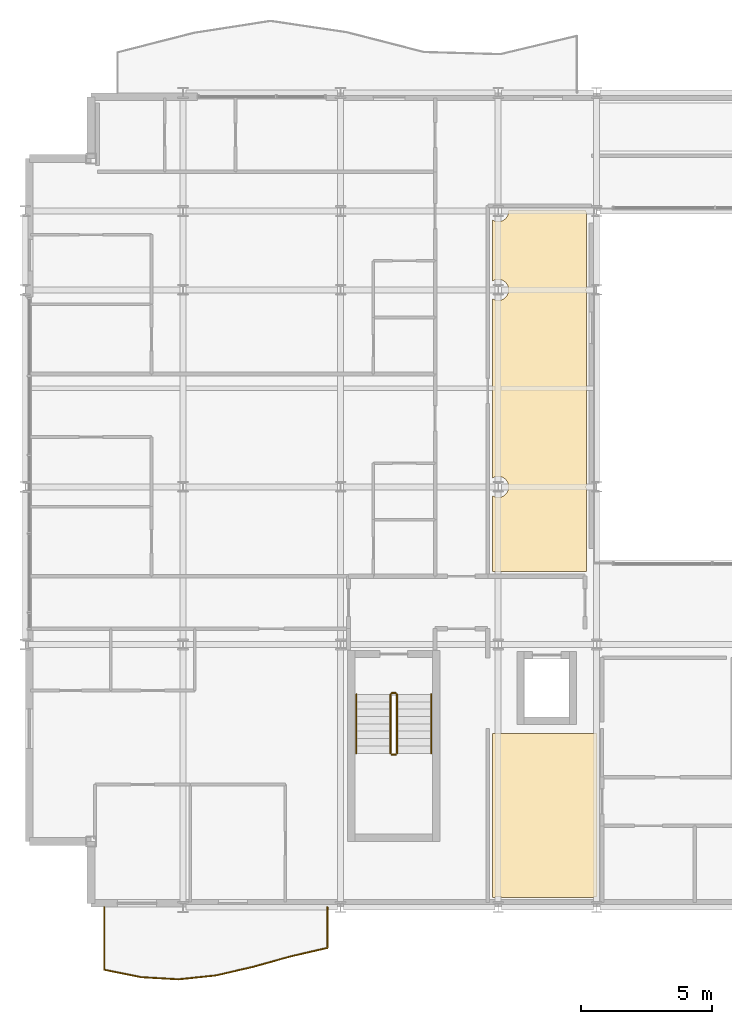
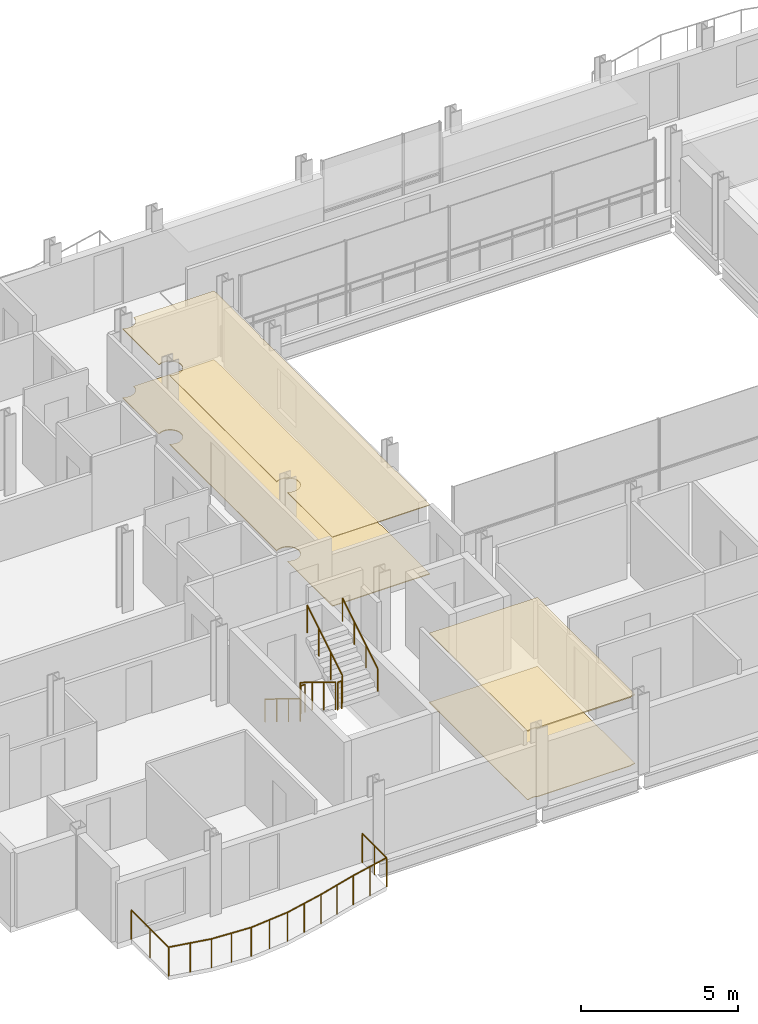
# One storey, part 39 of 41: 7 railings, 4 coverings.
"""IFC4 building model written with IfcOpenShell, lengths in metres."""

from ifc_helpers import new_model, si_unit, direction, frame, origin, origin_2d, place, context, subcontext, project, spatial, polyline, circle, outline, extrude, material, layer, layer_set, type_object, element, save


model = new_model("IFC4")

# Units and contexts
model_context = context("Model", 3, precision=1e-05, world=origin(), true_north=direction((0.0, 1.0)))
body_context = subcontext(model_context, "Body", "Model", "MODEL_VIEW")
ifc_project = project(units=[si_unit("LENGTHUNIT", "METRE"), si_unit("AREAUNIT", "SQUARE_METRE"), si_unit("VOLUMEUNIT", "CUBIC_METRE"), si_unit("PLANEANGLEUNIT", "RADIAN"), si_unit("MASSUNIT", "GRAM", prefix="KILO")], contexts=[model_context])

# Site, building, storey
site_placement = place(None, origin())
site = spatial("IfcSite", under=ifc_project, at=site_placement, CompositionType="ELEMENT")
building_placement = place(site_placement, origin())
building = spatial("IfcBuilding", under=site, at=building_placement, Name="Brevholm Reach", CompositionType="ELEMENT")
storey_placement = place(building_placement, frame((0.0, 0.0, 144.89990234375)))
storey = spatial("IfcBuildingStorey", under=building, at=storey_placement, Name="L43", CompositionType="ELEMENT", Elevation=144.89990234375)

# Coverings
ifc_material_1 = material(Name="Perforated Mineral-Fibre Class-A Acoustic Suspended Ceiling", Category="gypsum")
ifc_layer_1 = layer(ifc_material_1, 0.044921875)
ifc_layer_set_1 = layer_set([ifc_layer_1], Name="Perforated Mineral-Fibre Class-A Acoustic Suspended Ceiling")
covering_type_1 = type_object("IfcCoveringType", Name="COV-CLG-AC", PredefinedType="CEILING", material=ifc_layer_set_1)
covering_1_placement = place(storey_placement, frame((0.0, 0.0, 2.6650390625)))
element("IfcCovering", 1, at=covering_1_placement, inside=storey, type_object=covering_type_1, Name="L43 Suspended Ceiling L43-23", PredefinedType="CEILING", context=body_context, shape_type="SweptSolid", body=[
    extrude(outline(polyline([(21.76611328125, 6.6201171875), (21.76611328125, 0.399169921875), (21.75, 0.39990234375), (21.710693359375, 0.398193359375), (21.672119140625, 0.392333984375), (21.6337890625, 0.3828125), (21.596923828125, 0.36962890625), (21.57666015625, 0.360107421875), (18.17333984375, 0.360107421875), (18.153076171875, 0.36962890625), (18.1162109375, 0.3828125), (18.077880859375, 0.392333984375), (18.039306640625, 0.398193359375), (18.0, 0.39990234375), (17.960693359375, 0.398193359375), (17.922119140625, 0.392333984375), (17.8837890625, 0.3828125), (17.846923828125, 0.36962890625), (17.82666015625, 0.360107421875), (17.783935546875, 0.360107421875), (17.783935546875, 6.6201171875), (21.76611328125, 6.6201171875)])), origin(), (0.0, 0.0, 1.0), 0.045166015625),
])
ifc_material_2 = material(Name="Moisture-Resistant Skimmed Gypsum Plasterboard Ceiling", Category="gypsum")
ifc_layer_2 = layer(ifc_material_2, 0.030029296875)
ifc_layer_set_2 = layer_set([ifc_layer_2], Name="Moisture-Resistant Skimmed Gypsum Plasterboard Ceiling")
covering_type_2 = type_object("IfcCoveringType", Name="COV-CLG-GYP", PredefinedType="CEILING", material=ifc_layer_set_2)
covering_2_placement = place(storey_placement, frame((0.0, 0.0, 2.68017578125)))
element("IfcCovering", 2, at=covering_2_placement, inside=storey, type_object=covering_type_2, Name="L43 Suspended Ceiling L43-58", PredefinedType="CEILING", context=body_context, shape_type="SweptSolid", body=[
    extrude(outline(polyline([(21.3701171875, 23.623779296875), (21.3671875, 23.6162109375), (21.357666015625, 23.577880859375), (21.351806640625, 23.539306640625), (21.35009765625, 23.5), (21.351806640625, 23.460693359375), (21.357666015625, 23.422119140625), (21.3671875, 23.3837890625), (21.3701171875, 23.376220703125), (21.3701171875, 16.123779296875), (21.3671875, 16.1162109375), (21.357666015625, 16.077880859375), (21.351806640625, 16.039306640625), (21.35009765625, 16.0), (21.351806640625, 15.960693359375), (21.357666015625, 15.922119140625), (21.3671875, 15.8837890625), (21.3701171875, 15.876220703125), (21.3701171875, 12.783935546875), (17.783935546875, 12.783935546875), (17.783935546875, 15.663818359375), (17.811279296875, 15.647216796875), (17.846923828125, 15.63037109375), (17.8837890625, 15.6171875), (17.922119140625, 15.607666015625), (17.960693359375, 15.601806640625), (18.0, 15.60009765625), (18.039306640625, 15.601806640625), (18.077880859375, 15.607666015625), (18.1162109375, 15.6171875), (18.153076171875, 15.63037109375), (18.188720703125, 15.647216796875), (18.22216796875, 15.66748046875), (18.25390625, 15.69091796875), (18.28271484375, 15.71728515625), (18.30908203125, 15.74609375), (18.33251953125, 15.77783203125), (18.352783203125, 15.811279296875), (18.36962890625, 15.846923828125), (18.3828125, 15.8837890625), (18.392333984375, 15.922119140625), (18.398193359375, 15.960693359375), (18.39990234375, 16.0), (18.398193359375, 16.039306640625), (18.392333984375, 16.077880859375), (18.3828125, 16.1162109375), (18.36962890625, 16.153076171875), (18.352783203125, 16.188720703125), (18.33251953125, 16.22216796875), (18.30908203125, 16.25390625), (18.28271484375, 16.28271484375), (18.25390625, 16.30908203125), (18.22216796875, 16.33251953125), (18.188720703125, 16.352783203125), (18.153076171875, 16.36962890625), (18.1162109375, 16.3828125), (18.077880859375, 16.392333984375), (18.039306640625, 16.398193359375), (18.0, 16.39990234375), (17.960693359375, 16.398193359375), (17.922119140625, 16.392333984375), (17.8837890625, 16.3828125), (17.846923828125, 16.36962890625), (17.811279296875, 16.352783203125), (17.783935546875, 16.336181640625), (17.783935546875, 23.163818359375), (17.811279296875, 23.147216796875), (17.846923828125, 23.13037109375), (17.8837890625, 23.1171875), (17.922119140625, 23.107666015625), (17.960693359375, 23.101806640625), (18.0, 23.10009765625), (18.039306640625, 23.101806640625), (18.077880859375, 23.107666015625), (18.1162109375, 23.1171875), (18.153076171875, 23.13037109375), (18.188720703125, 23.147216796875), (18.22216796875, 23.16748046875), (18.25390625, 23.19091796875), (18.28271484375, 23.21728515625), (18.30908203125, 23.24609375), (18.33251953125, 23.27783203125), (18.352783203125, 23.311279296875), (18.36962890625, 23.346923828125), (18.3828125, 23.3837890625), (18.392333984375, 23.422119140625), (18.398193359375, 23.460693359375), (18.39990234375, 23.5), (18.398193359375, 23.539306640625), (18.392333984375, 23.577880859375), (18.3828125, 23.6162109375), (18.36962890625, 23.653076171875), (18.352783203125, 23.688720703125), (18.33251953125, 23.72216796875), (18.30908203125, 23.75390625), (18.28271484375, 23.78271484375), (18.25390625, 23.80908203125), (18.22216796875, 23.83251953125), (18.188720703125, 23.852783203125), (18.153076171875, 23.86962890625), (18.1162109375, 23.8828125), (18.077880859375, 23.892333984375), (18.039306640625, 23.898193359375), (18.0, 23.89990234375), (17.960693359375, 23.898193359375), (17.922119140625, 23.892333984375), (17.8837890625, 23.8828125), (17.846923828125, 23.86962890625), (17.811279296875, 23.852783203125), (17.783935546875, 23.836181640625), (17.783935546875, 26.163818359375), (17.811279296875, 26.147216796875), (17.846923828125, 26.13037109375), (17.8837890625, 26.1171875), (17.922119140625, 26.107666015625), (17.960693359375, 26.101806640625), (18.0, 26.10009765625), (18.039306640625, 26.101806640625), (18.077880859375, 26.107666015625), (18.1162109375, 26.1171875), (18.153076171875, 26.13037109375), (18.188720703125, 26.147216796875), (18.22216796875, 26.16748046875), (18.25390625, 26.19091796875), (18.28271484375, 26.21728515625), (18.30908203125, 26.24609375), (18.33251953125, 26.27783203125), (18.352783203125, 26.311279296875), (18.36962890625, 26.346923828125), (18.3828125, 26.3837890625), (18.392333984375, 26.422119140625), (18.398193359375, 26.460693359375), (18.39990234375, 26.5), (18.399169921875, 26.51611328125), (21.350830078125, 26.51611328125), (21.35009765625, 26.5), (21.351806640625, 26.460693359375), (21.357666015625, 26.422119140625), (21.3671875, 26.3837890625), (21.3701171875, 26.376220703125), (21.3701171875, 23.623779296875)])), origin(), (0.0, 0.0, 1.0), 0.030029296875),
])
ifc_material_3 = material(Name="Engineered European Oak Acoustic Plank Flooring", Category="timber")
ifc_layer_3 = layer(ifc_material_3, 0.02197265625)
ifc_layer_set_3 = layer_set([ifc_layer_3], Name="Engineered European Oak Acoustic Plank Flooring")
covering_type_3 = type_object("IfcCoveringType", Name="COV-FLR-OAK", PredefinedType="FLOORING", material=ifc_layer_set_3)
covering_3_placement = place(storey_placement, origin())
element("IfcCovering", 3, at=covering_3_placement, inside=storey, type_object=covering_type_3, Name="L43 Floor Finish L43-23", PredefinedType="FLOORING", context=body_context, shape_type="SweptSolid", body=[
    extrude(outline(polyline([(21.76611328125, 6.6201171875), (21.76611328125, 0.399169921875), (21.75, 0.39990234375), (21.710693359375, 0.398193359375), (21.672119140625, 0.392333984375), (21.6337890625, 0.3828125), (21.596923828125, 0.36962890625), (21.57666015625, 0.360107421875), (18.17333984375, 0.360107421875), (18.153076171875, 0.36962890625), (18.1162109375, 0.3828125), (18.077880859375, 0.392333984375), (18.039306640625, 0.398193359375), (18.0, 0.39990234375), (17.960693359375, 0.398193359375), (17.922119140625, 0.392333984375), (17.8837890625, 0.3828125), (17.846923828125, 0.36962890625), (17.82666015625, 0.360107421875), (17.783935546875, 0.360107421875), (17.783935546875, 6.6201171875), (21.76611328125, 6.6201171875)])), origin(), (0.0, 0.0, 1.0), 0.022216796875),
])
ifc_material_4 = material(Name="Honed Portland-Aggregate Resin Terrazzo Flooring", Category="concrete")
ifc_layer_4 = layer(ifc_material_4, 0.031982421875)
ifc_layer_set_4 = layer_set([ifc_layer_4], Name="Honed Portland-Aggregate Resin Terrazzo Flooring")
covering_type_4 = type_object("IfcCoveringType", Name="COV-FLR-TRZ", PredefinedType="FLOORING", material=ifc_layer_set_4)
covering_4_placement = place(storey_placement, origin())
element("IfcCovering", 4, at=covering_4_placement, inside=storey, type_object=covering_type_4, Name="L43 Floor Finish L43-58", PredefinedType="FLOORING", context=body_context, shape_type="SweptSolid", body=[
    extrude(outline(polyline([(21.3701171875, 23.623779296875), (21.3671875, 23.6162109375), (21.357666015625, 23.577880859375), (21.351806640625, 23.539306640625), (21.35009765625, 23.5), (21.351806640625, 23.460693359375), (21.357666015625, 23.422119140625), (21.3671875, 23.3837890625), (21.3701171875, 23.376220703125), (21.3701171875, 16.123779296875), (21.3671875, 16.1162109375), (21.357666015625, 16.077880859375), (21.351806640625, 16.039306640625), (21.35009765625, 16.0), (21.351806640625, 15.960693359375), (21.357666015625, 15.922119140625), (21.3671875, 15.8837890625), (21.3701171875, 15.876220703125), (21.3701171875, 12.783935546875), (17.783935546875, 12.783935546875), (17.783935546875, 15.663818359375), (17.811279296875, 15.647216796875), (17.846923828125, 15.63037109375), (17.8837890625, 15.6171875), (17.922119140625, 15.607666015625), (17.960693359375, 15.601806640625), (18.0, 15.60009765625), (18.039306640625, 15.601806640625), (18.077880859375, 15.607666015625), (18.1162109375, 15.6171875), (18.153076171875, 15.63037109375), (18.188720703125, 15.647216796875), (18.22216796875, 15.66748046875), (18.25390625, 15.69091796875), (18.28271484375, 15.71728515625), (18.30908203125, 15.74609375), (18.33251953125, 15.77783203125), (18.352783203125, 15.811279296875), (18.36962890625, 15.846923828125), (18.3828125, 15.8837890625), (18.392333984375, 15.922119140625), (18.398193359375, 15.960693359375), (18.39990234375, 16.0), (18.398193359375, 16.039306640625), (18.392333984375, 16.077880859375), (18.3828125, 16.1162109375), (18.36962890625, 16.153076171875), (18.352783203125, 16.188720703125), (18.33251953125, 16.22216796875), (18.30908203125, 16.25390625), (18.28271484375, 16.28271484375), (18.25390625, 16.30908203125), (18.22216796875, 16.33251953125), (18.188720703125, 16.352783203125), (18.153076171875, 16.36962890625), (18.1162109375, 16.3828125), (18.077880859375, 16.392333984375), (18.039306640625, 16.398193359375), (18.0, 16.39990234375), (17.960693359375, 16.398193359375), (17.922119140625, 16.392333984375), (17.8837890625, 16.3828125), (17.846923828125, 16.36962890625), (17.811279296875, 16.352783203125), (17.783935546875, 16.336181640625), (17.783935546875, 23.163818359375), (17.811279296875, 23.147216796875), (17.846923828125, 23.13037109375), (17.8837890625, 23.1171875), (17.922119140625, 23.107666015625), (17.960693359375, 23.101806640625), (18.0, 23.10009765625), (18.039306640625, 23.101806640625), (18.077880859375, 23.107666015625), (18.1162109375, 23.1171875), (18.153076171875, 23.13037109375), (18.188720703125, 23.147216796875), (18.22216796875, 23.16748046875), (18.25390625, 23.19091796875), (18.28271484375, 23.21728515625), (18.30908203125, 23.24609375), (18.33251953125, 23.27783203125), (18.352783203125, 23.311279296875), (18.36962890625, 23.346923828125), (18.3828125, 23.3837890625), (18.392333984375, 23.422119140625), (18.398193359375, 23.460693359375), (18.39990234375, 23.5), (18.398193359375, 23.539306640625), (18.392333984375, 23.577880859375), (18.3828125, 23.6162109375), (18.36962890625, 23.653076171875), (18.352783203125, 23.688720703125), (18.33251953125, 23.72216796875), (18.30908203125, 23.75390625), (18.28271484375, 23.78271484375), (18.25390625, 23.80908203125), (18.22216796875, 23.83251953125), (18.188720703125, 23.852783203125), (18.153076171875, 23.86962890625), (18.1162109375, 23.8828125), (18.077880859375, 23.892333984375), (18.039306640625, 23.898193359375), (18.0, 23.89990234375), (17.960693359375, 23.898193359375), (17.922119140625, 23.892333984375), (17.8837890625, 23.8828125), (17.846923828125, 23.86962890625), (17.811279296875, 23.852783203125), (17.783935546875, 23.836181640625), (17.783935546875, 26.163818359375), (17.811279296875, 26.147216796875), (17.846923828125, 26.13037109375), (17.8837890625, 26.1171875), (17.922119140625, 26.107666015625), (17.960693359375, 26.101806640625), (18.0, 26.10009765625), (18.039306640625, 26.101806640625), (18.077880859375, 26.107666015625), (18.1162109375, 26.1171875), (18.153076171875, 26.13037109375), (18.188720703125, 26.147216796875), (18.22216796875, 26.16748046875), (18.25390625, 26.19091796875), (18.28271484375, 26.21728515625), (18.30908203125, 26.24609375), (18.33251953125, 26.27783203125), (18.352783203125, 26.311279296875), (18.36962890625, 26.346923828125), (18.3828125, 26.3837890625), (18.392333984375, 26.422119140625), (18.398193359375, 26.460693359375), (18.39990234375, 26.5), (18.399169921875, 26.51611328125), (21.350830078125, 26.51611328125), (21.35009765625, 26.5), (21.351806640625, 26.460693359375), (21.357666015625, 26.422119140625), (21.3671875, 26.3837890625), (21.3701171875, 26.376220703125), (21.3701171875, 23.623779296875)])), origin(), (0.0, 0.0, 1.0), 0.031982421875),
])

# Railings
ifc_material_5 = material(Name="Brushed Stainless Steel EN 1.4401 and Laminated Glass", Category="steel")
railing_type_1 = type_object("IfcRailingType", Name="RAL-BALC-1150", PredefinedType="BALUSTRADE", material=ifc_material_5)
railing_1_placement = place(storey_placement, frame((3.0, 0.0, 0.0)))
element("IfcRailing", 5, at=railing_1_placement, inside=storey, type_object=railing_type_1, Name="L43 Guard Balustrade RAL-L43-BAL-SW", PredefinedType="BALUSTRADE", context=body_context, shape_type="SweptSolid", body=[
    extrude(circle(Radius=0.02392578125, at=origin_2d()), frame((0.0, 0.0, 1.1259765625), z_axis=(0.0, -1.0, 0.0), x_axis=(1.0, 0.0, 0.0)), (0.0, 0.0, 1.0), 2.38134765625),
    extrude(circle(Radius=0.02392578125, at=origin_2d()), frame((0.0, -2.38134765625, 1.1259765625), z_axis=(0.980502614423, -0.196506038355, 0.0), x_axis=(0.196506038355, 0.980502614423, 0.0)), (0.0, 0.0, 1.0), 1.44482421875),
    extrude(circle(Radius=0.02392578125, at=origin_2d()), frame((1.416748046875, -2.665283203125, 1.1259765625), z_axis=(0.998327360231, -0.057814200799, 0.0), x_axis=(0.057814200799, 0.998327360231, 0.0)), (0.0, 0.0, 1.0), 1.4189453125),
    extrude(circle(Radius=0.02392578125, at=origin_2d()), frame((2.833251953125, -2.747314453125, 1.1259765625), z_axis=(0.994609205974, 0.103694394212, 0.0), x_axis=(-0.103694394212, 0.994609205974, 0.0)), (0.0, 0.0, 1.0), 1.42431640625),
    extrude(circle(Radius=0.02392578125, at=origin_2d()), frame((4.25, -2.599609375, 1.1259765625), z_axis=(0.974360057668, 0.224994395533, 0.0), x_axis=(-0.224994395533, 0.974360057668, 0.0)), (0.0, 0.0, 1.0), 1.4541015625),
    extrude(circle(Radius=0.02392578125, at=origin_2d()), frame((5.666748046875, -2.2724609375, 1.1259765625), z_axis=(0.963289212232, 0.268465814578, 0.0), x_axis=(-0.268465814578, 0.963289212232, 0.0)), (0.0, 0.0, 1.0), 1.470458984375),
    extrude(circle(Radius=0.02392578125, at=origin_2d()), frame((7.083251953125, -1.877685546875, 1.1259765625), z_axis=(0.974323236677, 0.225153792932, 0.0), x_axis=(-0.225153792932, 0.974323236677, 0.0)), (0.0, 0.0, 1.0), 1.4541015625),
    extrude(circle(Radius=0.02392578125, at=origin_2d()), frame((8.5, -1.55029296875, 1.1259765625), z_axis=(0.0, 1.0, 0.0), x_axis=(-1.0, 0.0, 0.0)), (0.0, 0.0, 1.0), 1.55029296875),
    extrude(circle(Radius=0.02099609375, at=origin_2d()), origin(), (0.0, 0.0, 1.0), 1.101806640625),
    extrude(circle(Radius=0.02099609375, at=origin_2d()), frame((0.0, -1.190673828125, 0.0)), (0.0, 0.0, 1.0), 1.101806640625),
    extrude(circle(Radius=0.02099609375, at=origin_2d()), frame((0.0, -2.38134765625, 0.0)), (0.0, 0.0, 1.0), 1.101806640625),
    extrude(circle(Radius=0.02099609375, at=origin_2d()), frame((0.70849609375, -2.5234375, 0.0)), (0.0, 0.0, 1.0), 1.101806640625),
    extrude(circle(Radius=0.02099609375, at=origin_2d()), frame((1.416748046875, -2.665283203125, 0.0)), (0.0, 0.0, 1.0), 1.101806640625),
    extrude(circle(Radius=0.02099609375, at=origin_2d()), frame((2.125, -2.706298828125, 0.0)), (0.0, 0.0, 1.0), 1.101806640625),
    extrude(circle(Radius=0.02099609375, at=origin_2d()), frame((2.833251953125, -2.747314453125, 0.0)), (0.0, 0.0, 1.0), 1.101806640625),
    extrude(circle(Radius=0.02099609375, at=origin_2d()), frame((3.54150390625, -2.67333984375, 0.0)), (0.0, 0.0, 1.0), 1.101806640625),
    extrude(circle(Radius=0.02099609375, at=origin_2d()), frame((4.25, -2.599609375, 0.0)), (0.0, 0.0, 1.0), 1.101806640625),
    extrude(circle(Radius=0.02099609375, at=origin_2d()), frame((4.95849609375, -2.43603515625, 0.0)), (0.0, 0.0, 1.0), 1.101806640625),
    extrude(circle(Radius=0.02099609375, at=origin_2d()), frame((5.666748046875, -2.2724609375, 0.0)), (0.0, 0.0, 1.0), 1.101806640625),
    extrude(circle(Radius=0.02099609375, at=origin_2d()), frame((6.375, -2.0751953125, 0.0)), (0.0, 0.0, 1.0), 1.101806640625),
    extrude(circle(Radius=0.02099609375, at=origin_2d()), frame((7.083251953125, -1.877685546875, 0.0)), (0.0, 0.0, 1.0), 1.101806640625),
    extrude(circle(Radius=0.02099609375, at=origin_2d()), frame((7.79150390625, -1.7138671875, 0.0)), (0.0, 0.0, 1.0), 1.101806640625),
    extrude(circle(Radius=0.02099609375, at=origin_2d()), frame((8.5, -1.55029296875, 0.0)), (0.0, 0.0, 1.0), 1.101806640625),
    extrude(circle(Radius=0.02099609375, at=origin_2d()), frame((8.5, -0.775146484375, 0.0)), (0.0, 0.0, 1.0), 1.101806640625),
    extrude(circle(Radius=0.02099609375, at=origin_2d()), frame((8.5, 0.0, 0.0)), (0.0, 0.0, 1.0), 1.101806640625),
])
ifc_material_6 = material(Name="Brushed Stainless Steel EN 1.4401 Continuous Handrail", Category="steel")
railing_type_2 = type_object("IfcRailingType", Name="RAL-HND-950", PredefinedType="HANDRAIL", material=ifc_material_6)
railing_2_placement = place(storey_placement, frame((12.60009765625, 8.10009765625, 0.17236328125)))
element("IfcRailing", 6, at=railing_2_placement, inside=storey, type_object=railing_type_2, Name="L43 ST-1 stair handrail 1", PredefinedType="HANDRAIL", context=body_context, shape_type="SweptSolid", body=[
    extrude(circle(Radius=0.02392578125, at=origin_2d()), frame((0.0, 0.0, 0.8857421875), z_axis=(0.0, -0.85178898068, 0.523885037382), x_axis=(1.0, 0.0, 0.0)), (0.0, 0.0, 1.0), 2.629638671875),
    extrude(circle(Radius=0.02099609375, at=origin_2d()), origin(), (0.0, 0.0, 1.0), 0.86181640625),
    extrude(circle(Radius=0.02099609375, at=origin_2d()), frame((0.0, -0.74658203125, 0.459228515625)), (0.0, 0.0, 1.0), 0.86181640625),
    extrude(circle(Radius=0.02099609375, at=origin_2d()), frame((0.0, -1.493408203125, 0.91845703125)), (0.0, 0.0, 1.0), 0.86181640625),
    extrude(circle(Radius=0.02099609375, at=origin_2d()), frame((0.0, -2.239990234375, 1.377685546875)), (0.0, 0.0, 1.0), 0.86181640625),
])
railing_3_placement = place(storey_placement, frame((15.449951171875, 5.860107421875, 1.722412109375)))
element("IfcRailing", 7, at=railing_3_placement, inside=storey, type_object=railing_type_2, Name="L43 ST-1 stair handrail 2", PredefinedType="HANDRAIL", context=body_context, shape_type="SweptSolid", body=[
    extrude(circle(Radius=0.02392578125, at=origin_2d()), frame((0.0, 0.0, 0.8857421875), z_axis=(0.0, 0.85178898068, 0.523885037382), x_axis=(-1.0, 0.0, 0.0)), (0.0, 0.0, 1.0), 2.629638671875),
    extrude(circle(Radius=0.02099609375, at=origin_2d()), origin(), (0.0, 0.0, 1.0), 0.86181640625),
    extrude(circle(Radius=0.02099609375, at=origin_2d()), frame((0.0, 0.74658203125, 0.459228515625)), (0.0, 0.0, 1.0), 0.86181640625),
    extrude(circle(Radius=0.02099609375, at=origin_2d()), frame((0.0, 1.493408203125, 0.91845703125)), (0.0, 0.0, 1.0), 0.86181640625),
    extrude(circle(Radius=0.02099609375, at=origin_2d()), frame((0.0, 2.239990234375, 1.377685546875)), (0.0, 0.0, 1.0), 0.86181640625),
])
ifc_material_7 = material(Name="Painted Tubular Galvanised Steel S275JR Stair Guard", Category="steel")
railing_type_3 = type_object("IfcRailingType", Name="RAL-STG-1120", PredefinedType="BALUSTRADE", material=ifc_material_7)
railing_4_placement = place(storey_placement, frame((13.89990234375, 8.10009765625, 0.17236328125)))
element("IfcRailing", 8, at=railing_4_placement, inside=storey, type_object=railing_type_3, Name="L43 ST-1 stair guard 1", PredefinedType="BALUSTRADE", context=body_context, shape_type="SweptSolid", body=[
    extrude(circle(Radius=0.02392578125, at=origin_2d()), frame((0.0, 0.0, 1.076171875), z_axis=(0.0, -0.85178898068, 0.523885037382), x_axis=(1.0, 0.0, 0.0)), (0.0, 0.0, 1.0), 2.629638671875),
    extrude(circle(Radius=0.02099609375, at=origin_2d()), origin(), (0.0, 0.0, 1.0), 1.052001953125),
    extrude(circle(Radius=0.02099609375, at=origin_2d()), frame((0.0, -0.74658203125, 0.459228515625)), (0.0, 0.0, 1.0), 1.052001953125),
    extrude(circle(Radius=0.02099609375, at=origin_2d()), frame((0.0, -1.493408203125, 0.91845703125)), (0.0, 0.0, 1.0), 1.052001953125),
    extrude(circle(Radius=0.02099609375, at=origin_2d()), frame((0.0, -2.239990234375, 1.377685546875)), (0.0, 0.0, 1.0), 1.052001953125),
])
railing_5_placement = place(storey_placement, frame((13.949951171875, 5.81005859375, 1.550048828125)))
element("IfcRailing", 9, at=railing_5_placement, inside=storey, type_object=railing_type_3, Name="L43 ST-1 stair guard 2", PredefinedType="BALUSTRADE", context=body_context, shape_type="SweptSolid", body=[
    extrude(circle(Radius=0.02392578125, at=origin_2d()), frame((0.0, 0.0, 1.076171875), z_axis=(1.0, 0.0, 0.0), x_axis=(0.0, 1.0, 0.0)), (0.0, 0.0, 1.0), 0.150146484375),
    extrude(circle(Radius=0.02099609375, at=origin_2d()), origin(), (0.0, 0.0, 1.0), 1.052001953125),
    extrude(circle(Radius=0.02099609375, at=origin_2d()), frame((0.150146484375, 0.0, 0.0)), (0.0, 0.0, 1.0), 1.052001953125),
])
railing_6_placement = place(storey_placement, frame((14.14990234375, 5.860107421875, 1.722412109375)))
element("IfcRailing", 10, at=railing_6_placement, inside=storey, type_object=railing_type_3, Name="L43 ST-1 stair guard 3", PredefinedType="BALUSTRADE", context=body_context, shape_type="SweptSolid", body=[
    extrude(circle(Radius=0.02392578125, at=origin_2d()), frame((0.0, 0.0, 1.076171875), z_axis=(0.0, 0.85178898068, 0.523885037382), x_axis=(-1.0, 0.0, 0.0)), (0.0, 0.0, 1.0), 2.629638671875),
    extrude(circle(Radius=0.02099609375, at=origin_2d()), origin(), (0.0, 0.0, 1.0), 1.052001953125),
    extrude(circle(Radius=0.02099609375, at=origin_2d()), frame((0.0, 0.74658203125, 0.459228515625)), (0.0, 0.0, 1.0), 1.052001953125),
    extrude(circle(Radius=0.02099609375, at=origin_2d()), frame((0.0, 1.493408203125, 0.91845703125)), (0.0, 0.0, 1.0), 1.052001953125),
    extrude(circle(Radius=0.02099609375, at=origin_2d()), frame((0.0, 2.239990234375, 1.377685546875)), (0.0, 0.0, 1.0), 1.052001953125),
])
railing_7_placement = place(storey_placement, frame((13.949951171875, 8.14990234375, 0.0)))
element("IfcRailing", 11, at=railing_7_placement, inside=storey, type_object=railing_type_3, Name="L43 ST-1 stair guard 4", PredefinedType="BALUSTRADE", context=body_context, shape_type="SweptSolid", body=[
    extrude(circle(Radius=0.02392578125, at=origin_2d()), frame((0.0, 0.0, 1.076171875), z_axis=(1.0, 0.0, 0.0), x_axis=(0.0, 1.0, 0.0)), (0.0, 0.0, 1.0), 0.150146484375),
    extrude(circle(Radius=0.02099609375, at=origin_2d()), origin(), (0.0, 0.0, 1.0), 1.052001953125),
    extrude(circle(Radius=0.02099609375, at=origin_2d()), frame((0.150146484375, 0.0, 0.0)), (0.0, 0.0, 1.0), 1.052001953125),
])

save(model, "model.ifc")
